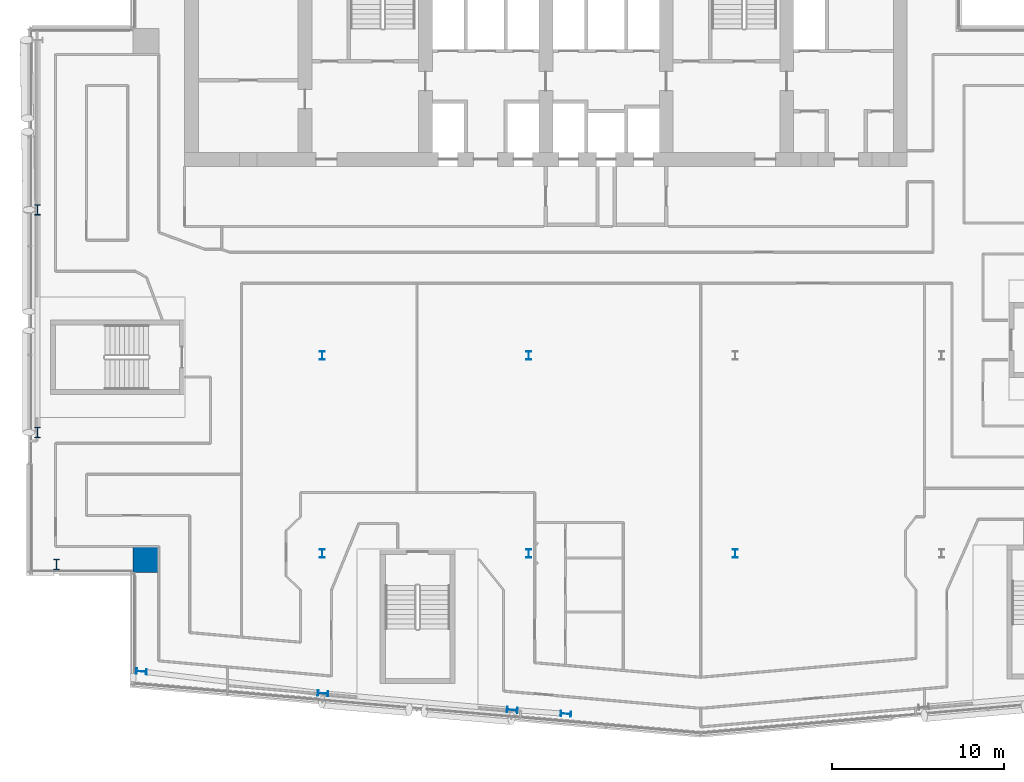
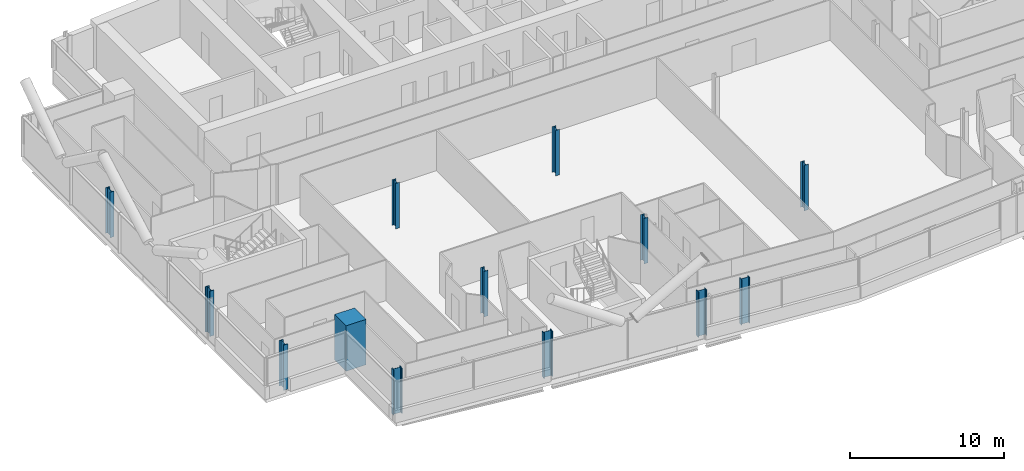
# One storey, part 1 of 28: 13 columns.
"""IFC4 building model written with IfcOpenShell, lengths in metres."""

import ifcopenshell
import ifcopenshell.guid

model = None  # the IFC model being written
_history = None  # IfcOwnerHistory: only IFC2X3 demands one
_inside = {}  # id of a spatial element -> (the spatial element, [elements in it])
_under = {}  # id of a project, library or spatial element -> (it, [spatial elements below it])
_declared = {}  # id of a project -> (the project, [libraries it declares])
_typed = {}  # id of a type object -> (the type object, [elements of that type])
_made_of = {}  # id of a material, layer set ... -> (it, [elements and type objects made of it])


def new_model(schema):
    """Start an empty IFC model of exactly this schema.

    Asked for "IFC4X3", IfcOpenShell would pick the latest addendum, in which some entities
    have other attributes; the version numbers below select the first issue.
    IFC2X3 requires an IfcOwnerHistory on every rooted entity: one is made here for all.
    """
    global model, _history
    if schema == "IFC4X3":
        model = ifcopenshell.file(schema_version=(4, 3, 0, 0))
    else:
        model = ifcopenshell.file(schema=schema)
    _inside.clear()
    _under.clear()
    _declared.clear()
    _typed.clear()
    _made_of.clear()
    _history = None
    if model.schema == "IFC2X3":
        org = make("IfcOrganization", Name="unknown")
        user = make(
            "IfcPersonAndOrganization",
            ThePerson=make("IfcPerson", FamilyName="unknown"),
            TheOrganization=org,
        )
        app = make(
            "IfcApplication",
            ApplicationDeveloper=org,
            Version="unknown",
            ApplicationFullName="unknown",
            ApplicationIdentifier="unknown",
        )
        _history = make(
            "IfcOwnerHistory",
            OwningUser=user,
            OwningApplication=app,
            ChangeAction="ADDED",
            CreationDate=0,
        )
    return model


def make(cls, **values):
    """One entity of the class cls with the attributes given. An attribute that is None is left unset."""
    return model.create_entity(
        cls, **{name: value for name, value in values.items() if value is not None}
    )


def rooted(cls, **values):
    """An entity with a GlobalId (a new one), such as an element, a storey or a relation."""
    return make(cls, GlobalId=ifcopenshell.guid.new(), OwnerHistory=_history, **values)


def si_unit(unit_type, name, prefix=None):
    """IfcSIUnit, for example si_unit("LENGTHUNIT", "METRE", prefix="MILLI")."""
    return make("IfcSIUnit", UnitType=unit_type, Prefix=prefix, Name=name)


def assignment(units):
    """IfcUnitAssignment: the units of a project."""
    return None if units is None else make("IfcUnitAssignment", Units=units)


def point(xyz):
    """IfcCartesianPoint."""
    return None if xyz is None else make("IfcCartesianPoint", Coordinates=xyz)


def direction(xyz):
    """IfcDirection."""
    return None if xyz is None else make("IfcDirection", DirectionRatios=xyz)


def frame(location, z_axis=None, x_axis=None):
    """IfcAxis2Placement3D, a coordinate frame: its origin and axes. An axis left out is left unset."""
    return make(
        "IfcAxis2Placement3D",
        Location=point(location),
        Axis=direction(z_axis),
        RefDirection=direction(x_axis),
    )


def frame_2d(location, x_axis=None):
    """IfcAxis2Placement2D, a coordinate frame in the plane: its origin and x axis."""
    return make(
        "IfcAxis2Placement2D", Location=point(location), RefDirection=direction(x_axis)
    )


def origin():
    """The frame at (0, 0, 0) with its axes left unset."""
    return frame((0.0, 0.0, 0.0))


def origin_2d():
    """The frame at (0, 0) in the plane with its x axis left unset."""
    return frame_2d((0.0, 0.0))


def place(relative_to, where):
    """IfcLocalPlacement: puts the frame where relative to a parent placement (None: the world)."""
    return make(
        "IfcLocalPlacement", PlacementRelTo=relative_to, RelativePlacement=where
    )


def context(
    kind, dimensions, precision=None, world=None, true_north=None, identifier=None
):
    """IfcGeometricRepresentationContext, for example the 3D "Model" context."""
    return make(
        "IfcGeometricRepresentationContext",
        ContextIdentifier=identifier,
        ContextType=kind,
        CoordinateSpaceDimension=dimensions,
        Precision=precision,
        WorldCoordinateSystem=world,
        TrueNorth=true_north,
    )


def subcontext(parent, identifier, kind, view, scale=None):
    """IfcGeometricRepresentationSubContext, for example "Body" below "Model"."""
    return make(
        "IfcGeometricRepresentationSubContext",
        ContextIdentifier=identifier,
        ContextType=kind,
        ParentContext=parent,
        TargetScale=scale,
        TargetView=view,
    )


def project(units=None, contexts=None):
    """IfcProject with its units and contexts."""
    return rooted(
        "IfcProject",
        Name="project",
        RepresentationContexts=contexts,
        UnitsInContext=assignment(units),
    )


def spatial(cls, under=None, at=None, **own):
    """A site, building, storey or space (cls), placed at a placement, below another one or the project."""
    s = rooted(cls, ObjectPlacement=at, **own)
    if under is not None:
        _under.setdefault(under.id(), (under, []))[1].append(s)
    return s


def profile(cls, at=None, kind="AREA", **sizes):
    """A parametric profile (cls). Its sizes go by their IFC names, for example OverallWidth=200.0."""
    return make(cls, ProfileType=kind, Position=at, **sizes)


def rectangle(**sizes):
    """IfcRectangleProfileDef."""
    return profile("IfcRectangleProfileDef", **sizes)


def i_section(**sizes):
    """IfcIShapeProfileDef."""
    return profile("IfcIShapeProfileDef", **sizes)


def extrude(swept, where, along, depth):
    """IfcExtrudedAreaSolid: the profile swept, set in the frame where, extruded along a direction by depth."""
    return make(
        "IfcExtrudedAreaSolid",
        SweptArea=swept,
        Position=where,
        ExtrudedDirection=direction(along),
        Depth=depth,
    )


def shape(context_of_items, identifier, shape_type, items):
    """IfcShapeRepresentation: the items that make up one representation, for example the "Body"."""
    return make(
        "IfcShapeRepresentation",
        ContextOfItems=context_of_items,
        RepresentationIdentifier=identifier,
        RepresentationType=shape_type,
        Items=items,
    )


def material(Name=None, Category=None):
    """IfcMaterial."""
    return make("IfcMaterial", Name=Name, Category=Category)


def material_profile(
    of_material, cross_section, Name=None, Category=None, Priority=None
):
    """IfcMaterialProfile: a cross section and its material."""
    return make(
        "IfcMaterialProfile",
        Name=Name,
        Material=of_material,
        Profile=cross_section,
        Priority=Priority,
        Category=Category,
    )


def profile_set(profiles, Name=None, composite=None):
    """IfcMaterialProfileSet."""
    return make(
        "IfcMaterialProfileSet",
        Name=Name,
        MaterialProfiles=profiles,
        CompositeProfile=composite,
    )


def made_of(thing, what):
    """Note that an element or type object is made of a material, layer set ...; save() writes the relation."""
    if what is not None:
        _made_of.setdefault(what.id(), (what, []))[1].append(thing)
    return thing


def type_object(cls, material=None, **own):
    """A type object (cls), such as IfcWallType, which elements share."""
    return made_of(rooted(cls, **own), material)


def element(
    cls,
    number,
    at=None,
    inside=None,
    cuts=None,
    type_object=None,
    material=None,
    context=None,
    identifier="Body",
    shape_type=None,
    held_by="IfcProductDefinitionShape",
    body=None,
    shapes=None,
    **own,
):
    """One element of the class cls, such as IfcWall. Its Tag is "e" and its number.

    at: its placement. inside: the storey or other place that contains it. cuts: it is an
    opening in that element (IfcRelVoidsElement). A single representation is given by context,
    identifier, shape_type and body (its items); several are given by shapes. held_by: the class
    of the entity that holds the representations. save() writes the other relations.
    """
    e = rooted(cls, Tag="e%d" % number, ObjectPlacement=at, **own)
    if body is not None:
        shapes = [shape(context, identifier, shape_type, body)]
    if shapes is not None:
        e.Representation = make(held_by, Representations=shapes)
    if inside is not None:
        _inside.setdefault(inside.id(), (inside, []))[1].append(e)
    if cuts is not None:
        rooted(
            "IfcRelVoidsElement", RelatingBuildingElement=cuts, RelatedOpeningElement=e
        )
    if type_object is not None:
        _typed.setdefault(type_object.id(), (type_object, []))[1].append(e)
    return made_of(e, material)


def aggregate(whole, parts):
    """IfcRelAggregates: a whole, such as a stair, and the parts it consists of."""
    return rooted("IfcRelAggregates", RelatingObject=whole, RelatedObjects=parts)


def save(model, path):
    """Write the relations noted so far, then the file.

    IfcRelAggregates (storeys below a building ...), IfcRelContainedInSpatialStructure (elements
    in a storey), IfcRelDefinesByType, IfcRelAssociatesMaterial and IfcRelDeclares: one each for
    every whole, place, type object, material and project.
    """
    for whole, parts in _under.values():
        aggregate(whole, parts)
    for where, things in _inside.values():
        rooted(
            "IfcRelContainedInSpatialStructure",
            RelatedElements=things,
            RelatingStructure=where,
        )
    for kind, things in _typed.values():
        rooted("IfcRelDefinesByType", RelatedObjects=things, RelatingType=kind)
    for what, things in _made_of.values():
        rooted("IfcRelAssociatesMaterial", RelatedObjects=things, RelatingMaterial=what)
    for by, libraries in _declared.values():
        rooted("IfcRelDeclares", RelatingContext=by, RelatedDefinitions=libraries)
    model.write(path)


model = new_model("IFC4")

# Units and contexts
model_context = context("Model", 3, precision=1e-05, world=origin(), true_north=direction((0.0, 1.0)))
body_context = subcontext(model_context, "Body", "Model", "MODEL_VIEW")
ifc_project = project(units=[si_unit("LENGTHUNIT", "METRE"), si_unit("AREAUNIT", "SQUARE_METRE"), si_unit("VOLUMEUNIT", "CUBIC_METRE"), si_unit("PLANEANGLEUNIT", "RADIAN"), si_unit("MASSUNIT", "GRAM", prefix="KILO")], contexts=[model_context])

# Site, building, storey
site_placement = place(None, origin())
site = spatial("IfcSite", under=ifc_project, at=site_placement, CompositionType="ELEMENT")
building_placement = place(site_placement, origin())
building = spatial("IfcBuilding", under=site, at=building_placement, Name="Wharfspan Tower", CompositionType="ELEMENT")
storey_placement = place(building_placement, frame((0.0, 0.0, 187.899902)))
storey = spatial("IfcBuildingStorey", under=building, at=storey_placement, Name="L46", CompositionType="ELEMENT", Elevation=187.899902)

# Columns
ifc_material_1 = material(Name="Steel S355J2", Category="steel")
ifc_material_profile_1 = material_profile(ifc_material_1, i_section(OverallWidth=0.300049, OverallDepth=0.5, WebThickness=0.014404, FlangeThickness=0.028076, FilletRadius=0.0271, at=origin_2d()))
ifc_profile_set_1 = profile_set([ifc_material_profile_1], Name="Steel S355J2")
column_type_1 = type_object("IfcColumnType", Name="Column HEB 500", PredefinedType="COLUMN", material=ifc_profile_set_1)
for number, where, z_axis, x_axis, name in (
    (1, (24.0, 11.5, 0.0), (0.0, 0.0, 1.0), (1.0, 0.0, 0.0), "Interior column I.1.1 L46"),
    (2, (36.0, 11.5, 0.0), (0.0, 0.0, 1.0), (1.0, 0.0, 0.0), "Interior column I.1.2 L46"),
    (3, (48.0, 11.5, 0.0), (0.0, 0.0, 1.0), (1.0, 0.0, 0.0), "Interior column I.1.3 L46"),
    (4, (24.0, 23.0, 0.0), (0.0, 0.0, 1.0), (1.0, 0.0, 0.0), "Interior column I.2.1 L46"),
    (5, (36.0, 23.0, 0.0), (0.0, 0.0, 1.0), (1.0, 0.0, 0.0), "Interior column I.2.2 L46"),
):
    element("IfcColumn", number, at=place(storey_placement, frame(where, z_axis=z_axis, x_axis=x_axis)), inside=storey, type_object=column_type_1, Name=name, PredefinedType="COLUMN", context=body_context, shape_type="SweptSolid", body=[
        extrude(i_section(OverallWidth=0.300049, OverallDepth=0.5, WebThickness=0.014404, FlangeThickness=0.028076, FilletRadius=0.0271, at=origin_2d()), origin(), (0.0, 0.0, 1.0), 3.600098),
    ])
ifc_material_profile_2 = material_profile(ifc_material_1, i_section(OverallWidth=0.304932, OverallDepth=0.620117, WebThickness=0.020996, FlangeThickness=0.040039, FilletRadius=0.0271, at=origin_2d()))
ifc_profile_set_2 = profile_set([ifc_material_profile_2], Name="Steel S355J2")
column_type_2 = type_object("IfcColumnType", Name="Column HEM 600", PredefinedType="COLUMN", material=ifc_profile_set_2)
for number, where, z_axis, x_axis, name in (
    (6, (13.490723, 4.637451, 0.0), (0.0, 0.0, 1.0), (-0.087156, -0.996198, 0.0), "Perimeter column PS1.1 L46"),
    (7, (24.039307, 3.361084, 0.0), (0.0, 0.0, 1.0), (-0.087156, -0.996198, 0.0), "Perimeter column PS1.2 L46"),
    (8, (35.039307, 2.398682, 0.0), (0.0, 0.0, 1.0), (-0.087156, -0.996198, 0.0), "Perimeter column PS1.3 L46"),
    (9, (38.161133, 2.174072, 0.0), (0.0, 0.0, 1.0), (-0.087156, -0.996198, 0.0), "Perimeter column PS1.4 L46"),
    (10, (7.449951, 31.466553, 0.0), (0.0, 0.0, 1.0), (-1.0, 0.0, 0.0), "Perimeter column PW.1 L46"),
    (11, (7.449951, 18.533447, 0.0), (0.0, 0.0, 1.0), (-1.0, 0.0, 0.0), "Perimeter column PW.2 L46"),
    (12, (8.560791, 10.854004, 0.0), (0.0, 0.0, 1.0), (-1.0, 0.0, 0.0), "Perimeter column PW.3 L46"),
):
    element("IfcColumn", number, at=place(storey_placement, frame(where, z_axis=z_axis, x_axis=x_axis)), inside=storey, type_object=column_type_2, Name=name, PredefinedType="COLUMN", context=body_context, shape_type="SweptSolid", body=[
        extrude(i_section(OverallWidth=0.304932, OverallDepth=0.620117, WebThickness=0.020996, FlangeThickness=0.040039, FilletRadius=0.0271, at=origin_2d()), origin(), (0.0, 0.0, 1.0), 3.600098),
    ])
ifc_material_2 = material(Name="Concrete C60/75", Category="concrete")
ifc_material_profile_3 = material_profile(ifc_material_2, rectangle(XDim=1.5, YDim=1.5, at=origin_2d()))
ifc_profile_set_3 = profile_set([ifc_material_profile_3], Name="Concrete C60/75")
column_type_3 = type_object("IfcColumnType", Name="Mega column 1500 C60/75", PredefinedType="COLUMN", material=ifc_profile_set_3)
column_placement = place(storey_placement, frame((13.75, 11.149902, 0.0), z_axis=(0.0, 0.0, 1.0), x_axis=(1.0, 0.0, 0.0)))
element("IfcColumn", 13, at=column_placement, inside=storey, type_object=column_type_3, Name="Mega column MC1 L46", PredefinedType="COLUMN", context=body_context, shape_type="SweptSolid", body=[
    extrude(rectangle(XDim=1.5, YDim=1.5, at=origin_2d()), origin(), (0.0, 0.0, 1.0), 3.600098),
])

save(model, "model.ifc")
